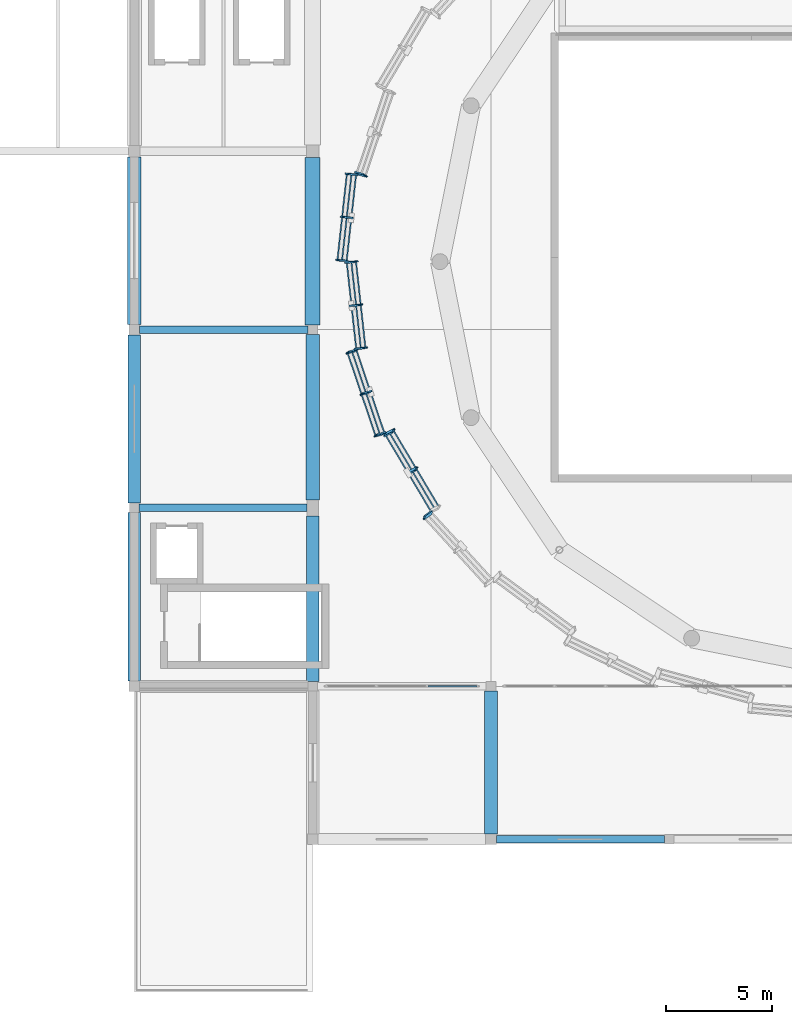
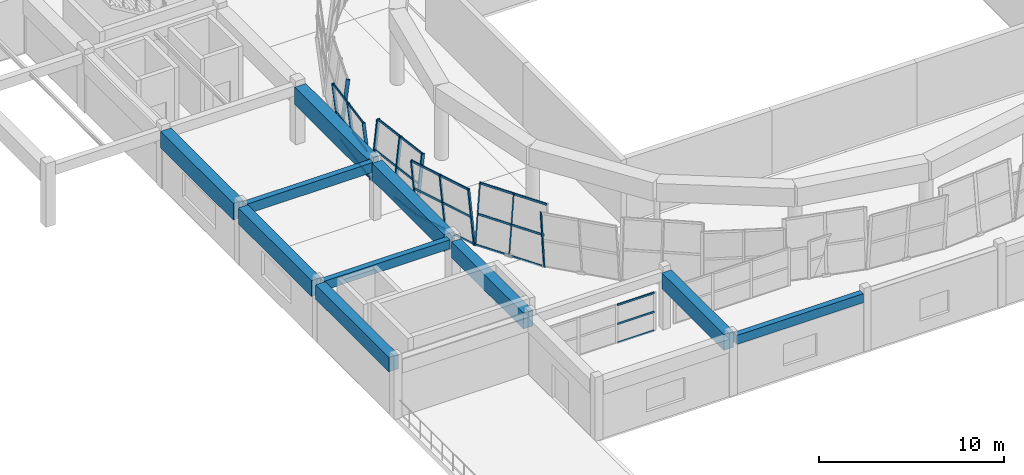
# One storey, part 8 of 40: 40 members, 10 beams, 7 elements without a shape of their own.
"""IFC4 building model written with IfcOpenShell, lengths in metres."""

from ifc_helpers import new_model, si_unit, direction, frame, origin, origin_2d, place, context, subcontext, project, spatial, rectangle, hollow_rectangle, extrude, material, material_profile, profile_set, type_object, element, aggregate, save


model = new_model("IFC4")

# Units and contexts
model_context = context("Model", 3, precision=1e-05, world=origin(), true_north=direction((0.0, 1.0)))
body_context = subcontext(model_context, "Body", "Model", "MODEL_VIEW")
ifc_project = project(units=[si_unit("LENGTHUNIT", "METRE"), si_unit("AREAUNIT", "SQUARE_METRE"), si_unit("VOLUMEUNIT", "CUBIC_METRE"), si_unit("PLANEANGLEUNIT", "RADIAN"), si_unit("MASSUNIT", "GRAM", prefix="KILO")], contexts=[model_context])

# Site, building, storey
site_placement = place(None, origin())
site = spatial("IfcSite", under=ifc_project, at=site_placement, CompositionType="ELEMENT")
building_placement = place(site_placement, origin())
building = spatial("IfcBuilding", under=site, at=building_placement, Name="Korsvaeld Concert Hall", CompositionType="ELEMENT")
storey_placement = place(building_placement, frame((0.0, 0.0, 13.199951171875)))
storey = spatial("IfcBuildingStorey", under=building, at=storey_placement, Name="L03", CompositionType="ELEMENT", Elevation=13.199951171875)

# Beams
ifc_material_1 = material(Name="Concrete C35/45", Category="concrete")
ifc_material_profile_1 = material_profile(ifc_material_1, rectangle(XDim=0.35009765625, YDim=0.60009765625, at=origin_2d()), Name="RC 350x600")
ifc_profile_set_1 = profile_set([ifc_material_profile_1], Name="Concrete C35/45")
beam_type_1 = type_object("IfcBeamType", Name="BM-RC-350x600", PredefinedType="T_BEAM", material=ifc_profile_set_1)
beam_1_placement = place(storey_placement, frame((67.449951171875, 36.0, 3.5400390625), z_axis=(1.0, 0.0, 0.0), x_axis=(0.0, 1.0, 0.0)))
element("IfcBeam", 1, at=beam_1_placement, inside=storey, type_object=beam_type_1, Name="Primary girder 10-11/F L03", PredefinedType="T_BEAM", context=body_context, shape_type="SweptSolid", body=[
    extrude(rectangle(XDim=0.35009765625, YDim=0.60009765625, at=origin_2d()), origin(), (0.0, 0.0, 1.0), 7.925048828125),
])
beam_2_placement = place(storey_placement, frame((50.625, 51.60009765625, 3.5400390625), z_axis=(1.0, 0.0, 0.0), x_axis=(0.0, 1.0, 0.0)))
element("IfcBeam", 2, at=beam_2_placement, inside=storey, type_object=beam_type_1, Name="Primary girder 8-9/H L03", PredefinedType="T_BEAM", context=body_context, shape_type="SweptSolid", body=[
    extrude(rectangle(XDim=0.35009765625, YDim=0.60009765625, at=origin_2d()), origin(), (0.0, 0.0, 1.0), 7.89990234375),
])
ifc_material_profile_2 = material_profile(ifc_material_1, rectangle(XDim=0.35009765625, YDim=0.64990234375, at=origin_2d()), Name="RC 350x650")
ifc_profile_set_2 = profile_set([ifc_material_profile_2], Name="Concrete C35/45")
beam_type_2 = type_object("IfcBeamType", Name="BM-RC-350x650", PredefinedType="T_BEAM", material=ifc_profile_set_2)
beam_3_placement = place(storey_placement, frame((50.64990234375, 60.0, 3.51513671875), z_axis=(1.0, 0.0, 0.0), x_axis=(0.0, 1.0, 0.0)))
element("IfcBeam", 3, at=beam_3_placement, inside=storey, type_object=beam_type_2, Name="Primary girder 8-9/J L03", PredefinedType="T_BEAM", context=body_context, shape_type="SweptSolid", body=[
    extrude(rectangle(XDim=0.35009765625, YDim=0.64990234375, at=origin_2d()), origin(), (0.0, 0.0, 1.0), 7.925048828125),
])
ifc_material_2 = material(Name="Concrete C40/50", Category="concrete")
ifc_material_profile_3 = material_profile(ifc_material_2, rectangle(XDim=0.60009765625, YDim=1.050048828125, at=origin_2d()), Name="RC 600x1050")
ifc_profile_set_3 = profile_set([ifc_material_profile_3], Name="Concrete C40/50")
beam_type_3 = type_object("IfcBeamType", Name="BM-RC-600x1050", PredefinedType="T_BEAM", material=ifc_profile_set_3)
beam_4_placement = place(storey_placement, frame((50.39990234375, 51.824951171875, 3.31494140625), z_axis=(0.0, 1.0, 0.0), x_axis=(-1.0, 0.0, 0.0)))
element("IfcBeam", 4, at=beam_4_placement, inside=storey, type_object=beam_type_3, Name="Primary girder 8/H-J L03", PredefinedType="T_BEAM", context=body_context, shape_type="SweptSolid", body=[
    extrude(rectangle(XDim=0.60009765625, YDim=1.050048828125, at=origin_2d()), origin(), (0.0, 0.0, 1.0), 7.925048828125),
])
beam_5_placement = place(storey_placement, frame((58.800048828125, 43.425048828125, 3.31494140625), z_axis=(0.0, 1.0, 0.0), x_axis=(-1.0, 0.0, 0.0)))
element("IfcBeam", 5, at=beam_5_placement, inside=storey, type_object=beam_type_3, Name="Primary girder 9/G-H L03", PredefinedType="T_BEAM", context=body_context, shape_type="SweptSolid", body=[
    extrude(rectangle(XDim=0.60009765625, YDim=1.050048828125, at=origin_2d()), origin(), (0.0, 0.0, 1.0), 7.800048828125),
])
beam_6_placement = place(storey_placement, frame((67.199951171875, 36.25, 3.31494140625), z_axis=(0.0, 1.0, 0.0), x_axis=(-1.0, 0.0, 0.0)))
element("IfcBeam", 6, at=beam_6_placement, inside=storey, type_object=beam_type_3, Name="Primary girder 10/F-G L03", PredefinedType="T_BEAM", context=body_context, shape_type="SweptSolid", body=[
    extrude(rectangle(XDim=0.60009765625, YDim=1.050048828125, at=origin_2d()), origin(), (0.0, 0.0, 1.0), 6.72509765625),
])
ifc_material_profile_4 = material_profile(ifc_material_2, rectangle(XDim=0.60009765625, YDim=0.949951171875, at=origin_2d()), Name="RC 600x950")
ifc_profile_set_4 = profile_set([ifc_material_profile_4], Name="Concrete C40/50")
beam_type_4 = type_object("IfcBeamType", Name="BM-RC-600x950", PredefinedType="T_BEAM", material=ifc_profile_set_4)
beam_7_placement = place(storey_placement, frame((50.39990234375, 43.449951171875, 3.364990234375), z_axis=(0.0, 1.0, 0.0), x_axis=(-1.0, 0.0, 0.0)))
element("IfcBeam", 7, at=beam_7_placement, inside=storey, type_object=beam_type_4, Name="Primary girder 8/G-H L03", PredefinedType="T_BEAM", context=body_context, shape_type="SweptSolid", body=[
    extrude(rectangle(XDim=0.60009765625, YDim=0.949951171875, at=origin_2d()), origin(), (0.0, 0.0, 1.0), 7.925048828125),
])
ifc_material_profile_5 = material_profile(ifc_material_2, rectangle(XDim=0.64990234375, YDim=1.10009765625, at=origin_2d()), Name="RC 650x1100")
ifc_profile_set_5 = profile_set([ifc_material_profile_5], Name="Concrete C40/50")
beam_type_5 = type_object("IfcBeamType", Name="BM-RC-650x1100", PredefinedType="T_BEAM", material=ifc_profile_set_5)
beam_8_placement = place(storey_placement, frame((50.39990234375, 60.25, 3.2900390625), z_axis=(0.0, 1.0, 0.0), x_axis=(-1.0, 0.0, 0.0)))
element("IfcBeam", 8, at=beam_8_placement, inside=storey, type_object=beam_type_5, Name="Primary girder 8/J-K L03", PredefinedType="T_BEAM", context=body_context, shape_type="SweptSolid", body=[
    extrude(rectangle(XDim=0.64990234375, YDim=1.10009765625, at=origin_2d()), origin(), (0.0, 0.0, 1.0), 7.875),
])
beam_9_placement = place(storey_placement, frame((58.800048828125, 51.97509765625, 3.2900390625), z_axis=(0.0, 1.0, 0.0), x_axis=(-1.0, 0.0, 0.0)))
element("IfcBeam", 9, at=beam_9_placement, inside=storey, type_object=beam_type_5, Name="Primary girder 9/H-J L03", PredefinedType="T_BEAM", context=body_context, shape_type="SweptSolid", body=[
    extrude(rectangle(XDim=0.64990234375, YDim=1.10009765625, at=origin_2d()), origin(), (0.0, 0.0, 1.0), 7.7998046875),
])
ifc_material_profile_6 = material_profile(ifc_material_2, rectangle(XDim=0.699951171875, YDim=1.14990234375, at=origin_2d()), Name="RC 700x1150")
ifc_profile_set_6 = profile_set([ifc_material_profile_6], Name="Concrete C40/50")
beam_type_6 = type_object("IfcBeamType", Name="BM-RC-700x1150", PredefinedType="T_BEAM", material=ifc_profile_set_6)
beam_10_placement = place(storey_placement, frame((58.800048828125, 60.22509765625, 3.26513671875), z_axis=(0.0, 1.0, 0.0), x_axis=(-1.0, 0.0, 0.0)))
element("IfcBeam", 10, at=beam_10_placement, inside=storey, type_object=beam_type_6, Name="Primary girder 9/J-K L03", PredefinedType="T_BEAM", context=body_context, shape_type="SweptSolid", body=[
    extrude(rectangle(XDim=0.699951171875, YDim=1.14990234375, at=origin_2d()), origin(), (0.0, 0.0, 1.0), 7.875),
])

# Curtain wall, members
ifc_material_3 = material(Name="Anodised bronze and ceramic-fritted safety glass", Category="glass")
curtain_wall_type_1 = type_object("IfcCurtainWallType", Name="CW-TYPE-08", PredefinedType="USERDEFINED", material=ifc_material_3)
curtain_wall_1_placement = place(storey_placement, origin())
curtain_wall_1 = element("IfcCurtainWall", 11, at=curtain_wall_1_placement, inside=storey, type_object=curtain_wall_type_1, Name="Crystal curtain-wall facet L03 F16", ObjectType="CURTAIN WALL", PredefinedType="USERDEFINED")
ifc_material_4 = material(Name="Anodised architectural bronze aluminium", Category="aluminium")
ifc_material_profile_7 = material_profile(ifc_material_4, hollow_rectangle(XDim=0.074951171875, YDim=0.179931640625, WallThickness=0.0048828125, at=origin_2d()), Name="CWM 180x75x5")
ifc_profile_set_7 = profile_set([ifc_material_profile_7], Name="Anodised architectural bronze aluminium")
member_type_1 = type_object("IfcMemberType", Name="CWM-BRONZE-180x75", PredefinedType="MULLION", material=ifc_profile_set_7)
member_1_placement = place(storey_placement, frame((60.849365234375, 67.298583984375, 0.0), z_axis=(-0.112717475827, 0.010002660084, 0.993576729515), x_axis=(-0.195739336193, -0.980578391981, -0.012334076665)))
member_1 = element("IfcMember", 12, at=member_1_placement, type_object=member_type_1, Name="CW-CRYS-L03-F16 crystal mullion 1", PredefinedType="MULLION", context=body_context, shape_type="SweptSolid", body=[
    extrude(hollow_rectangle(XDim=0.074951171875, YDim=0.179931640625, WallThickness=0.0048828125, at=origin_2d()), origin(), (0.0, 0.0, 1.0), 3.9052734375),
])
member_2_placement = place(storey_placement, frame((60.626708984375, 65.26806640625, 0.0), z_axis=(-0.112779267815, 0.009940079591, 0.993570345556), x_axis=(-0.19515140707, -0.980695492067, -0.01234018468)))
member_2 = element("IfcMember", 13, at=member_2_placement, type_object=member_type_1, Name="CW-CRYS-L03-F16 crystal mullion 2", PredefinedType="MULLION", context=body_context, shape_type="SweptSolid", body=[
    extrude(hollow_rectangle(XDim=0.074951171875, YDim=0.179931640625, WallThickness=0.0048828125, at=origin_2d()), origin(), (0.0, 0.0, 1.0), 3.9052734375),
])
member_3_placement = place(storey_placement, frame((60.404052734375, 63.2373046875, 0.0), z_axis=(-0.112779267815, 0.009940079591, 0.993570345556), x_axis=(-0.19515140707, -0.980695492067, -0.01234018468)))
member_3 = element("IfcMember", 14, at=member_3_placement, type_object=member_type_1, Name="CW-CRYS-L03-F16 crystal mullion 3", PredefinedType="MULLION", context=body_context, shape_type="SweptSolid", body=[
    extrude(hollow_rectangle(XDim=0.074951171875, YDim=0.179931640625, WallThickness=0.0048828125, at=origin_2d()), origin(), (0.0, 0.0, 1.0), 3.9052734375),
])

curtain_wall_type_2 = type_object("IfcCurtainWallType", Name="CW-TYPE-02", PredefinedType="USERDEFINED", material=ifc_material_3)
curtain_wall_2_placement = place(storey_placement, origin())
curtain_wall_2 = element("IfcCurtainWall", 15, at=curtain_wall_2_placement, inside=storey, type_object=curtain_wall_type_2, Name="Crystal curtain-wall facet L03 F18", ObjectType="CURTAIN WALL", PredefinedType="USERDEFINED")
member_4_placement = place(storey_placement, frame((60.865478515625, 59.028564453125, 0.0), z_axis=(-0.109216080383, -0.029757787214, 0.993572504594), x_axis=(0.555751717741, -0.83055918565, 0.036214187285)))
member_4 = element("IfcMember", 16, at=member_4_placement, type_object=member_type_1, Name="CW-CRYS-L03-F18 crystal mullion 1", PredefinedType="MULLION", context=body_context, shape_type="SweptSolid", body=[
    extrude(hollow_rectangle(XDim=0.074951171875, YDim=0.179931640625, WallThickness=0.0048828125, at=origin_2d()), origin(), (0.0, 0.0, 1.0), 3.9052734375),
])
member_5_placement = place(storey_placement, frame((61.52490234375, 57.07568359375, 0.0), z_axis=(-0.109216080383, -0.029757787214, 0.993572504594), x_axis=(0.555751717741, -0.83055918565, 0.036214187285)))
member_5 = element("IfcMember", 17, at=member_5_placement, type_object=member_type_1, Name="CW-CRYS-L03-F18 crystal mullion 2", PredefinedType="MULLION", context=body_context, shape_type="SweptSolid", body=[
    extrude(hollow_rectangle(XDim=0.074951171875, YDim=0.179931640625, WallThickness=0.0048828125, at=origin_2d()), origin(), (0.0, 0.0, 1.0), 3.9052734375),
])
member_6_placement = place(storey_placement, frame((62.184326171875, 55.12255859375, 0.0), z_axis=(-0.109216080383, -0.029757787214, 0.993572504594), x_axis=(0.555751717741, -0.83055918565, 0.036214187285)))
member_6 = element("IfcMember", 18, at=member_6_placement, type_object=member_type_1, Name="CW-CRYS-L03-F18 crystal mullion 3", PredefinedType="MULLION", context=body_context, shape_type="SweptSolid", body=[
    extrude(hollow_rectangle(XDim=0.074951171875, YDim=0.179931640625, WallThickness=0.0048828125, at=origin_2d()), origin(), (0.0, 0.0, 1.0), 3.9052734375),
])

# Curtain wall, member
curtain_wall_type_3 = type_object("IfcCurtainWallType", Name="CW-TYPE-04", PredefinedType="USERDEFINED", material=ifc_material_3)
curtain_wall_3_placement = place(storey_placement, origin())
curtain_wall_3 = element("IfcCurtainWall", 19, at=curtain_wall_3_placement, inside=storey, type_object=curtain_wall_type_3, Name="Crystal curtain-wall facet L03 F20", ObjectType="CURTAIN WALL", PredefinedType="USERDEFINED")
member_7_placement = place(storey_placement, frame((64.402587890625, 51.394287109375, 0.0), z_axis=(-0.09108635583, -0.067205101247, 0.993572720111), x_axis=(0.977585463955, -0.19620767399, 0.076349258884)))
member_7 = element("IfcMember", 20, at=member_7_placement, type_object=member_type_1, Name="CW-CRYS-L03-F20 crystal mullion 1", PredefinedType="MULLION", context=body_context, shape_type="SweptSolid", body=[
    extrude(hollow_rectangle(XDim=0.074951171875, YDim=0.179931640625, WallThickness=0.0048828125, at=origin_2d()), origin(), (0.0, 0.0, 1.0), 3.9052734375),
])
aggregate(curtain_wall_3, [member_7])

curtain_wall_type_4 = type_object("IfcCurtainWallType", Name="CW-TYPE-07", PredefinedType="USERDEFINED", material=ifc_material_3)
curtain_wall_4_placement = place(storey_placement, origin())
curtain_wall_4 = element("IfcCurtainWall", 21, at=curtain_wall_4_placement, inside=storey, type_object=curtain_wall_type_4, Name="Crystal curtain-wall facet L03 F15", ObjectType="CURTAIN WALL", PredefinedType="USERDEFINED")
ifc_material_profile_8 = material_profile(ifc_material_4, hollow_rectangle(XDim=0.074951171875, YDim=0.219970703125, WallThickness=0.006103515625, at=origin_2d()), Name="CWM 220x75x6")
ifc_profile_set_8 = profile_set([ifc_material_profile_8], Name="Anodised architectural bronze aluminium")
member_type_2 = type_object("IfcMemberType", Name="CWM-BRONZE-220x75", PredefinedType="MULLION", material=ifc_profile_set_8)
member_8_placement = place(storey_placement, frame((60.865478515625, 67.371337890625, 0.0), z_axis=(0.109216080383, -0.029757787214, 0.993572504594), x_axis=(0.555751717741, 0.83055918565, -0.036214187285)))
member_8 = element("IfcMember", 22, at=member_8_placement, type_object=member_type_2, Name="CW-CRYS-L03-F15 crystal mullion 3", PredefinedType="MULLION", context=body_context, shape_type="SweptSolid", body=[
    extrude(hollow_rectangle(XDim=0.074951171875, YDim=0.219970703125, WallThickness=0.006103515625, at=origin_2d()), origin(), (0.0, 0.0, 1.0), 3.9052734375),
])
aggregate(curtain_wall_4, [member_8])

# Curtain wall, members
curtain_wall_type_5 = type_object("IfcCurtainWallType", Name="CW-TYPE-01", PredefinedType="USERDEFINED", material=ifc_material_3)
curtain_wall_5_placement = place(storey_placement, origin())
curtain_wall_5 = element("IfcCurtainWall", 23, at=curtain_wall_5_placement, inside=storey, type_object=curtain_wall_type_5, Name="Crystal curtain-wall facet L03 F17", ObjectType="CURTAIN WALL", PredefinedType="USERDEFINED")
member_9_placement = place(storey_placement, frame((60.404052734375, 63.162841796875, 0.0), z_axis=(0.112779267815, 0.009940079591, 0.993570345556), x_axis=(-0.19515140707, 0.980695492067, 0.01234018468)))
member_9 = element("IfcMember", 24, at=member_9_placement, type_object=member_type_2, Name="CW-CRYS-L03-F17 crystal mullion 1", PredefinedType="MULLION", context=body_context, shape_type="SweptSolid", body=[
    extrude(hollow_rectangle(XDim=0.074951171875, YDim=0.219970703125, WallThickness=0.006103515625, at=origin_2d()), origin(), (0.0, 0.0, 1.0), 3.9052734375),
])
member_10_placement = place(storey_placement, frame((60.626708984375, 61.132080078125, 0.0), z_axis=(0.112779267815, 0.009940079591, 0.993570345556), x_axis=(-0.19515140707, 0.980695492067, 0.01234018468)))
member_10 = element("IfcMember", 25, at=member_10_placement, type_object=member_type_2, Name="CW-CRYS-L03-F17 crystal mullion 2", PredefinedType="MULLION", context=body_context, shape_type="SweptSolid", body=[
    extrude(hollow_rectangle(XDim=0.074951171875, YDim=0.219970703125, WallThickness=0.006103515625, at=origin_2d()), origin(), (0.0, 0.0, 1.0), 3.9052734375),
])
member_11_placement = place(storey_placement, frame((60.849365234375, 59.101318359375, 0.0), z_axis=(0.112779197512, 0.01000258958, 0.993569726195), x_axis=(-0.195690716426, 0.980588011718, 0.012340777107)))
member_11 = element("IfcMember", 26, at=member_11_placement, type_object=member_type_2, Name="CW-CRYS-L03-F17 crystal mullion 3", PredefinedType="MULLION", context=body_context, shape_type="SweptSolid", body=[
    extrude(hollow_rectangle(XDim=0.074951171875, YDim=0.219970703125, WallThickness=0.006103515625, at=origin_2d()), origin(), (0.0, 0.0, 1.0), 3.9052734375),
])

curtain_wall_type_6 = type_object("IfcCurtainWallType", Name="CW-TYPE-03", PredefinedType="USERDEFINED", material=ifc_material_3)
curtain_wall_6_placement = place(storey_placement, origin())
curtain_wall_6 = element("IfcCurtainWall", 27, at=curtain_wall_6_placement, inside=storey, type_object=curtain_wall_type_6, Name="Crystal curtain-wall facet L03 F19", ObjectType="CURTAIN WALL", PredefinedType="USERDEFINED")
member_12_placement = place(storey_placement, frame((62.215576171875, 55.054931640625, 0.0), z_axis=(0.102026799703, 0.049012874367, 0.993573485097), x_axis=(-0.830085935221, 0.554623592574, 0.057879277021)))
member_12 = element("IfcMember", 28, at=member_12_placement, type_object=member_type_2, Name="CW-CRYS-L03-F19 crystal mullion 1", PredefinedType="MULLION", context=body_context, shape_type="SweptSolid", body=[
    extrude(hollow_rectangle(XDim=0.074951171875, YDim=0.219970703125, WallThickness=0.006103515625, at=origin_2d()), origin(), (0.0, 0.0, 1.0), 3.9052734375),
])
member_13_placement = place(storey_placement, frame((63.286865234375, 53.25439453125, 0.0), z_axis=(0.102026799703, 0.049012874367, 0.993573485097), x_axis=(-0.830085935221, 0.554623592574, 0.057879277021)))
member_13 = element("IfcMember", 29, at=member_13_placement, type_object=member_type_2, Name="CW-CRYS-L03-F19 crystal mullion 2", PredefinedType="MULLION", context=body_context, shape_type="SweptSolid", body=[
    extrude(hollow_rectangle(XDim=0.074951171875, YDim=0.219970703125, WallThickness=0.006103515625, at=origin_2d()), origin(), (0.0, 0.0, 1.0), 3.9052734375),
])

curtain_wall_type_7 = type_object("IfcCurtainWallType", Name="CW-TYPE-13", PredefinedType="USERDEFINED", material=ifc_material_3)
curtain_wall_7_placement = place(storey_placement, origin())
curtain_wall_7 = element("IfcCurtainWall", 30, at=curtain_wall_7_placement, inside=storey, type_object=curtain_wall_type_7, Name="Glazed foyer acoustic screen L03-37", ObjectType="CURTAIN WALL", PredefinedType="USERDEFINED")
ifc_material_profile_9 = material_profile(ifc_material_4, hollow_rectangle(XDim=0.06005859375, YDim=0.1201171875, WallThickness=0.00390625, at=origin_2d()), Name="CWT 120x60x4")
ifc_profile_set_9 = profile_set([ifc_material_profile_9], Name="Anodised architectural bronze aluminium")
member_type_3 = type_object("IfcMemberType", Name="CWT-ALUM-120x60", PredefinedType="USERDEFINED", material=ifc_profile_set_9)
member_14_placement = place(storey_placement, frame((64.22998046875, 43.199951171875, 0.030029296875), z_axis=(1.0, 0.0, 0.0), x_axis=(0.0, 1.0, 0.0)))
member_14 = element("IfcMember", 31, at=member_14_placement, type_object=member_type_3, Name="CW-13 transom 3.1", ObjectType="TRANSOM", PredefinedType="USERDEFINED", context=body_context, shape_type="SweptSolid", body=[
    extrude(hollow_rectangle(XDim=0.06005859375, YDim=0.1201171875, WallThickness=0.00390625, at=origin_2d()), origin(), (0.0, 0.0, 1.0), 2.31005859375),
])
member_15_placement = place(storey_placement, frame((64.22998046875, 43.199951171875, 1.275146484375), z_axis=(1.0, 0.0, 0.0), x_axis=(0.0, 1.0, 0.0)))
member_15 = element("IfcMember", 32, at=member_15_placement, type_object=member_type_3, Name="CW-13 transom 3.2", ObjectType="TRANSOM", PredefinedType="USERDEFINED", context=body_context, shape_type="SweptSolid", body=[
    extrude(hollow_rectangle(XDim=0.06005859375, YDim=0.1201171875, WallThickness=0.00390625, at=origin_2d()), origin(), (0.0, 0.0, 1.0), 2.31005859375),
])
member_16_placement = place(storey_placement, frame((64.22998046875, 43.199951171875, 2.52001953125), z_axis=(1.0, 0.0, 0.0), x_axis=(0.0, 1.0, 0.0)))
member_16 = element("IfcMember", 33, at=member_16_placement, type_object=member_type_3, Name="CW-13 transom 3.3", ObjectType="TRANSOM", PredefinedType="USERDEFINED", context=body_context, shape_type="SweptSolid", body=[
    extrude(hollow_rectangle(XDim=0.06005859375, YDim=0.1201171875, WallThickness=0.00390625, at=origin_2d()), origin(), (0.0, 0.0, 1.0), 2.31005859375),
])
aggregate(curtain_wall_7, [member_14, member_15, member_16])

# Member
ifc_material_profile_10 = material_profile(ifc_material_4, hollow_rectangle(XDim=0.06005859375, YDim=0.139892578125, WallThickness=0.00390625, at=origin_2d()), Name="CWT 140x60x4")
ifc_profile_set_10 = profile_set([ifc_material_profile_10], Name="Anodised architectural bronze aluminium")
member_type_4 = type_object("IfcMemberType", Name="CWT-BRONZE-140x60", PredefinedType="USERDEFINED", material=ifc_profile_set_10)
member_17_placement = place(storey_placement, frame((60.842041015625, 67.26171875, 0.030029296875), z_axis=(-0.109042629262, -0.99403707426, 0.0), x_axis=(0.99403707426, -0.109042629262, 0.0)))
member_17 = element("IfcMember", 34, at=member_17_placement, type_object=member_type_4, Name="CW-CRYS-L03-F16 crystal transom 1.1", ObjectType="TRANSOM", PredefinedType="USERDEFINED", context=body_context, shape_type="SweptSolid", body=[
    extrude(hollow_rectangle(XDim=0.06005859375, YDim=0.139892578125, WallThickness=0.00390625, at=origin_2d()), origin(), (0.0, 0.0, 1.0), 1.968017578125),
])

member_18_placement = place(storey_placement, frame((60.625244140625, 67.28076171875, 1.93994140625), z_axis=(-0.10905607732, -0.99403559896, 0.0), x_axis=(0.99403559896, -0.10905607732, 0.0)))
member_18 = element("IfcMember", 35, at=member_18_placement, type_object=member_type_4, Name="CW-CRYS-L03-F16 crystal transom 1.2", ObjectType="TRANSOM", PredefinedType="USERDEFINED", context=body_context, shape_type="SweptSolid", body=[
    extrude(hollow_rectangle(XDim=0.06005859375, YDim=0.139892578125, WallThickness=0.00390625, at=origin_2d()), origin(), (0.0, 0.0, 1.0), 1.9677734375),
])

member_19_placement = place(storey_placement, frame((60.408447265625, 67.300048828125, 3.85009765625), z_axis=(-0.10905607732, -0.99403559896, 0.0), x_axis=(0.99403559896, -0.10905607732, 0.0)))
member_19 = element("IfcMember", 36, at=member_19_placement, type_object=member_type_4, Name="CW-CRYS-L03-F16 crystal transom 1.3", ObjectType="TRANSOM", PredefinedType="USERDEFINED", context=body_context, shape_type="SweptSolid", body=[
    extrude(hollow_rectangle(XDim=0.06005859375, YDim=0.139892578125, WallThickness=0.00390625, at=origin_2d()), origin(), (0.0, 0.0, 1.0), 1.9677734375),
])

member_20_placement = place(storey_placement, frame((60.619140625, 65.23095703125, 0.030029296875), z_axis=(-0.108933482058, -0.994049041289, 0.0), x_axis=(0.994049041289, -0.108933482058, 0.0)))
member_20 = element("IfcMember", 37, at=member_20_placement, type_object=member_type_4, Name="CW-CRYS-L03-F16 crystal transom 2.1", ObjectType="TRANSOM", PredefinedType="USERDEFINED", context=body_context, shape_type="SweptSolid", body=[
    extrude(hollow_rectangle(XDim=0.06005859375, YDim=0.139892578125, WallThickness=0.00390625, at=origin_2d()), origin(), (0.0, 0.0, 1.0), 1.9677734375),
])

member_21_placement = place(storey_placement, frame((60.402587890625, 65.250244140625, 1.93994140625), z_axis=(-0.109042629262, -0.99403707426, 0.0), x_axis=(0.99403707426, -0.109042629262, 0.0)))
member_21 = element("IfcMember", 38, at=member_21_placement, type_object=member_type_4, Name="CW-CRYS-L03-F16 crystal transom 2.2", ObjectType="TRANSOM", PredefinedType="USERDEFINED", context=body_context, shape_type="SweptSolid", body=[
    extrude(hollow_rectangle(XDim=0.06005859375, YDim=0.139892578125, WallThickness=0.00390625, at=origin_2d()), origin(), (0.0, 0.0, 1.0), 1.968017578125),
])

member_22_placement = place(storey_placement, frame((60.185791015625, 65.269287109375, 3.85009765625), z_axis=(-0.10905607732, -0.99403559896, 0.0), x_axis=(0.99403559896, -0.10905607732, 0.0)))
member_22 = element("IfcMember", 39, at=member_22_placement, type_object=member_type_4, Name="CW-CRYS-L03-F16 crystal transom 2.3", ObjectType="TRANSOM", PredefinedType="USERDEFINED", context=body_context, shape_type="SweptSolid", body=[
    extrude(hollow_rectangle(XDim=0.06005859375, YDim=0.139892578125, WallThickness=0.00390625, at=origin_2d()), origin(), (0.0, 0.0, 1.0), 1.9677734375),
])

aggregate(curtain_wall_1, [member_1, member_2, member_3, member_17, member_18, member_19, member_20, member_21, member_22])

member_23_placement = place(storey_placement, frame((60.41162109375, 63.125732421875, 0.030029296875), z_axis=(0.108933482058, -0.994049041289, 0.0), x_axis=(0.994049041289, 0.108933482058, 0.0)))
member_23 = element("IfcMember", 40, at=member_23_placement, type_object=member_type_4, Name="CW-CRYS-L03-F17 crystal transom 1.1", ObjectType="TRANSOM", PredefinedType="USERDEFINED", context=body_context, shape_type="SweptSolid", body=[
    extrude(hollow_rectangle(XDim=0.06005859375, YDim=0.139892578125, WallThickness=0.00390625, at=origin_2d()), origin(), (0.0, 0.0, 1.0), 1.9677734375),
])

member_24_placement = place(storey_placement, frame((60.62841796875, 63.14501953125, 1.93994140625), z_axis=(0.108920048755, -0.994050513294, 0.0), x_axis=(0.994050513294, 0.108920048755, 0.0)))
member_24 = element("IfcMember", 41, at=member_24_placement, type_object=member_type_4, Name="CW-CRYS-L03-F17 crystal transom 1.2", ObjectType="TRANSOM", PredefinedType="USERDEFINED", context=body_context, shape_type="SweptSolid", body=[
    extrude(hollow_rectangle(XDim=0.06005859375, YDim=0.139892578125, WallThickness=0.00390625, at=origin_2d()), origin(), (0.0, 0.0, 1.0), 1.968017578125),
])

member_25_placement = place(storey_placement, frame((60.84521484375, 63.1640625, 3.85009765625), z_axis=(0.108933482058, -0.994049041289, 0.0), x_axis=(0.994049041289, 0.108933482058, 0.0)))
member_25 = element("IfcMember", 42, at=member_25_placement, type_object=member_type_4, Name="CW-CRYS-L03-F17 crystal transom 1.3", ObjectType="TRANSOM", PredefinedType="USERDEFINED", context=body_context, shape_type="SweptSolid", body=[
    extrude(hollow_rectangle(XDim=0.06005859375, YDim=0.139892578125, WallThickness=0.00390625, at=origin_2d()), origin(), (0.0, 0.0, 1.0), 1.9677734375),
])

member_26_placement = place(storey_placement, frame((60.63427734375, 61.094970703125, 0.030029296875), z_axis=(0.108933482058, -0.994049041289, 0.0), x_axis=(0.994049041289, 0.108933482058, 0.0)))
member_26 = element("IfcMember", 43, at=member_26_placement, type_object=member_type_4, Name="CW-CRYS-L03-F17 crystal transom 2.1", ObjectType="TRANSOM", PredefinedType="USERDEFINED", context=body_context, shape_type="SweptSolid", body=[
    extrude(hollow_rectangle(XDim=0.06005859375, YDim=0.139892578125, WallThickness=0.00390625, at=origin_2d()), origin(), (0.0, 0.0, 1.0), 1.9677734375),
])

member_27_placement = place(storey_placement, frame((60.85107421875, 61.1142578125, 1.93994140625), z_axis=(0.108933482058, -0.994049041289, 0.0), x_axis=(0.994049041289, 0.108933482058, 0.0)))
member_27 = element("IfcMember", 44, at=member_27_placement, type_object=member_type_4, Name="CW-CRYS-L03-F17 crystal transom 2.2", ObjectType="TRANSOM", PredefinedType="USERDEFINED", context=body_context, shape_type="SweptSolid", body=[
    extrude(hollow_rectangle(XDim=0.06005859375, YDim=0.139892578125, WallThickness=0.00390625, at=origin_2d()), origin(), (0.0, 0.0, 1.0), 1.9677734375),
])

member_28_placement = place(storey_placement, frame((61.06787109375, 61.133544921875, 3.85009765625), z_axis=(0.108920048755, -0.994050513294, 0.0), x_axis=(0.994050513294, 0.108920048755, 0.0)))
member_28 = element("IfcMember", 45, at=member_28_placement, type_object=member_type_4, Name="CW-CRYS-L03-F17 crystal transom 2.3", ObjectType="TRANSOM", PredefinedType="USERDEFINED", context=body_context, shape_type="SweptSolid", body=[
    extrude(hollow_rectangle(XDim=0.06005859375, YDim=0.139892578125, WallThickness=0.00390625, at=origin_2d()), origin(), (0.0, 0.0, 1.0), 1.968017578125),
])

aggregate(curtain_wall_5, [member_9, member_10, member_11, member_23, member_24, member_25, member_26, member_27, member_28])

member_29_placement = place(storey_placement, frame((60.874267578125, 58.9921875, 0.030029296875), z_axis=(0.319949676143, -0.947434538497, 0.0), x_axis=(0.947434538497, 0.319949676143, 0.0)))
member_29 = element("IfcMember", 46, at=member_29_placement, type_object=member_type_4, Name="CW-CRYS-L03-F18 crystal transom 1.1", ObjectType="TRANSOM", PredefinedType="USERDEFINED", context=body_context, shape_type="SweptSolid", body=[
    extrude(hollow_rectangle(XDim=0.06005859375, YDim=0.139892578125, WallThickness=0.00390625, at=origin_2d()), origin(), (0.0, 0.0, 1.0), 1.986328125),
])

member_30_placement = place(storey_placement, frame((60.664306640625, 58.934814453125, 1.93994140625), z_axis=(0.319949676143, -0.947434538497, 0.0), x_axis=(0.947434538497, 0.319949676143, 0.0)))
member_30 = element("IfcMember", 47, at=member_30_placement, type_object=member_type_4, Name="CW-CRYS-L03-F18 crystal transom 1.2", ObjectType="TRANSOM", PredefinedType="USERDEFINED", context=body_context, shape_type="SweptSolid", body=[
    extrude(hollow_rectangle(XDim=0.06005859375, YDim=0.139892578125, WallThickness=0.00390625, at=origin_2d()), origin(), (0.0, 0.0, 1.0), 1.986328125),
])

member_31_placement = place(storey_placement, frame((60.454345703125, 58.877685546875, 3.85009765625), z_axis=(0.319949676143, -0.947434538497, 0.0), x_axis=(0.947434538497, 0.319949676143, 0.0)))
member_31 = element("IfcMember", 48, at=member_31_placement, type_object=member_type_4, Name="CW-CRYS-L03-F18 crystal transom 1.3", ObjectType="TRANSOM", PredefinedType="USERDEFINED", context=body_context, shape_type="SweptSolid", body=[
    extrude(hollow_rectangle(XDim=0.06005859375, YDim=0.139892578125, WallThickness=0.00390625, at=origin_2d()), origin(), (0.0, 0.0, 1.0), 1.986328125),
])

member_32_placement = place(storey_placement, frame((61.53369140625, 57.0390625, 0.030029296875), z_axis=(0.319949676143, -0.947434538497, 0.0), x_axis=(0.947434538497, 0.319949676143, 0.0)))
member_32 = element("IfcMember", 49, at=member_32_placement, type_object=member_type_4, Name="CW-CRYS-L03-F18 crystal transom 2.1", ObjectType="TRANSOM", PredefinedType="USERDEFINED", context=body_context, shape_type="SweptSolid", body=[
    extrude(hollow_rectangle(XDim=0.06005859375, YDim=0.139892578125, WallThickness=0.00390625, at=origin_2d()), origin(), (0.0, 0.0, 1.0), 1.986328125),
])

member_33_placement = place(storey_placement, frame((61.32373046875, 56.98193359375, 1.93994140625), z_axis=(0.319949676143, -0.947434538497, 0.0), x_axis=(0.947434538497, 0.319949676143, 0.0)))
member_33 = element("IfcMember", 50, at=member_33_placement, type_object=member_type_4, Name="CW-CRYS-L03-F18 crystal transom 2.2", ObjectType="TRANSOM", PredefinedType="USERDEFINED", context=body_context, shape_type="SweptSolid", body=[
    extrude(hollow_rectangle(XDim=0.06005859375, YDim=0.139892578125, WallThickness=0.00390625, at=origin_2d()), origin(), (0.0, 0.0, 1.0), 1.986328125),
])

member_34_placement = place(storey_placement, frame((61.11376953125, 56.9248046875, 3.85009765625), z_axis=(0.319912420616, -0.947447118912, 0.0), x_axis=(0.947447118912, 0.319912420616, 0.0)))
member_34 = element("IfcMember", 51, at=member_34_placement, type_object=member_type_4, Name="CW-CRYS-L03-F18 crystal transom 2.3", ObjectType="TRANSOM", PredefinedType="USERDEFINED", context=body_context, shape_type="SweptSolid", body=[
    extrude(hollow_rectangle(XDim=0.06005859375, YDim=0.139892578125, WallThickness=0.00390625, at=origin_2d()), origin(), (0.0, 0.0, 1.0), 1.986572265625),
])

aggregate(curtain_wall_2, [member_4, member_5, member_6, member_29, member_30, member_31, member_32, member_33, member_34])

member_35_placement = place(storey_placement, frame((62.23779296875, 55.024169921875, 0.030029296875), z_axis=(0.511381861684, -0.859353589357, 0.0), x_axis=(0.859353589357, 0.511381861684, 0.0)))
member_35 = element("IfcMember", 52, at=member_35_placement, type_object=member_type_4, Name="CW-CRYS-L03-F19 crystal transom 1.1", ObjectType="TRANSOM", PredefinedType="USERDEFINED", context=body_context, shape_type="SweptSolid", body=[
    extrude(hollow_rectangle(XDim=0.06005859375, YDim=0.139892578125, WallThickness=0.00390625, at=origin_2d()), origin(), (0.0, 0.0, 1.0), 2.02001953125),
])

member_36_placement = place(storey_placement, frame((62.43408203125, 55.118408203125, 1.93994140625), z_axis=(0.511328750939, -0.859385192136, 0.0), x_axis=(0.859385192136, 0.511328750939, 0.0)))
member_36 = element("IfcMember", 53, at=member_36_placement, type_object=member_type_4, Name="CW-CRYS-L03-F19 crystal transom 1.2", ObjectType="TRANSOM", PredefinedType="USERDEFINED", context=body_context, shape_type="SweptSolid", body=[
    extrude(hollow_rectangle(XDim=0.06005859375, YDim=0.139892578125, WallThickness=0.00390625, at=origin_2d()), origin(), (0.0, 0.0, 1.0), 2.020263671875),
])

member_37_placement = place(storey_placement, frame((62.630126953125, 55.21240234375, 3.85009765625), z_axis=(0.511381861684, -0.859353589357, 0.0), x_axis=(0.859353589357, 0.511381861684, 0.0)))
member_37 = element("IfcMember", 54, at=member_37_placement, type_object=member_type_4, Name="CW-CRYS-L03-F19 crystal transom 1.3", ObjectType="TRANSOM", PredefinedType="USERDEFINED", context=body_context, shape_type="SweptSolid", body=[
    extrude(hollow_rectangle(XDim=0.06005859375, YDim=0.139892578125, WallThickness=0.00390625, at=origin_2d()), origin(), (0.0, 0.0, 1.0), 2.02001953125),
])

member_38_placement = place(storey_placement, frame((63.30908203125, 53.2236328125, 0.030029296875), z_axis=(0.511381861684, -0.859353589357, 0.0), x_axis=(0.859353589357, 0.511381861684, 0.0)))
member_38 = element("IfcMember", 55, at=member_38_placement, type_object=member_type_4, Name="CW-CRYS-L03-F19 crystal transom 2.1", ObjectType="TRANSOM", PredefinedType="USERDEFINED", context=body_context, shape_type="SweptSolid", body=[
    extrude(hollow_rectangle(XDim=0.06005859375, YDim=0.139892578125, WallThickness=0.00390625, at=origin_2d()), origin(), (0.0, 0.0, 1.0), 2.02001953125),
])

member_39_placement = place(storey_placement, frame((63.50537109375, 53.31787109375, 1.93994140625), z_axis=(0.511292595627, -0.859406703288, 0.0), x_axis=(0.859406703288, 0.511292595627, 0.0)))
member_39 = element("IfcMember", 56, at=member_39_placement, type_object=member_type_4, Name="CW-CRYS-L03-F19 crystal transom 2.2", ObjectType="TRANSOM", PredefinedType="USERDEFINED", context=body_context, shape_type="SweptSolid", body=[
    extrude(hollow_rectangle(XDim=0.06005859375, YDim=0.139892578125, WallThickness=0.00390625, at=origin_2d()), origin(), (0.0, 0.0, 1.0), 2.019775390625),
])

member_40_placement = place(storey_placement, frame((63.701416015625, 53.412109375, 3.85009765625), z_axis=(0.511381861684, -0.859353589357, 0.0), x_axis=(0.859353589357, 0.511381861684, 0.0)))
member_40 = element("IfcMember", 57, at=member_40_placement, type_object=member_type_4, Name="CW-CRYS-L03-F19 crystal transom 2.3", ObjectType="TRANSOM", PredefinedType="USERDEFINED", context=body_context, shape_type="SweptSolid", body=[
    extrude(hollow_rectangle(XDim=0.06005859375, YDim=0.139892578125, WallThickness=0.00390625, at=origin_2d()), origin(), (0.0, 0.0, 1.0), 2.02001953125),
])

aggregate(curtain_wall_6, [member_12, member_13, member_35, member_36, member_37, member_38, member_39, member_40])

save(model, "model.ifc")
